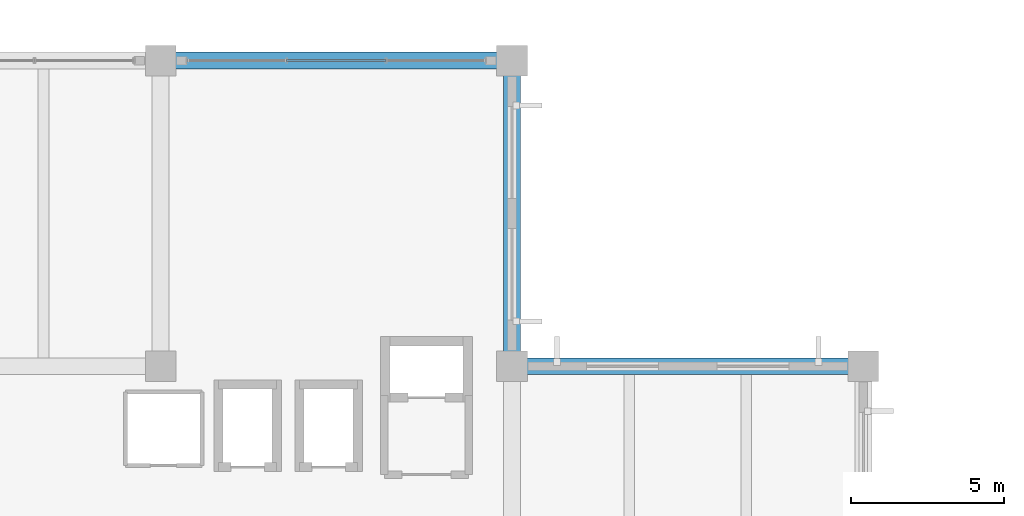
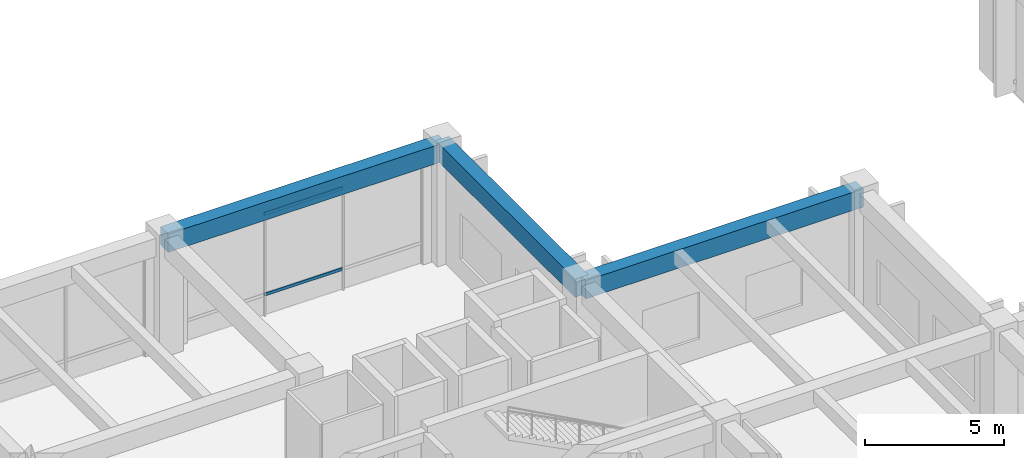
# One storey, part 111 of 148: 3 beams, 2 members, 1 element without a shape of its own.
"""IFC4 building model written with IfcOpenShell, lengths in metres."""

from ifc_helpers import new_model, si_unit, direction, frame, origin, origin_2d, place, context, subcontext, project, spatial, rectangle, hollow_rectangle, extrude, material, material_profile, profile_set, type_object, element, aggregate, save


model = new_model("IFC4")

# Units and contexts
model_context = context("Model", 3, precision=1e-05, world=origin(), true_north=direction((0.0, 1.0)))
body_context = subcontext(model_context, "Body", "Model", "MODEL_VIEW")
ifc_project = project(units=[si_unit("LENGTHUNIT", "METRE"), si_unit("AREAUNIT", "SQUARE_METRE"), si_unit("VOLUMEUNIT", "CUBIC_METRE"), si_unit("PLANEANGLEUNIT", "RADIAN"), si_unit("MASSUNIT", "GRAM", prefix="KILO")], contexts=[model_context])

# Site, building, storey
site_placement = place(None, origin())
site = spatial("IfcSite", under=ifc_project, at=site_placement, CompositionType="ELEMENT")
building_placement = place(site_placement, origin())
building = spatial("IfcBuilding", under=site, at=building_placement, Name="Ologun Quay Terminus", CompositionType="ELEMENT")
storey_placement = place(building_placement, frame((0.0, 0.0, 8.39990234375)))
storey = spatial("IfcBuildingStorey", under=building, at=storey_placement, Name="L02", CompositionType="ELEMENT", Elevation=8.39990234375)

# Beams
ifc_material_1 = material(Name="Concrete C40/50", Category="concrete")
ifc_material_profile_1 = material_profile(ifc_material_1, rectangle(XDim=0.550048828125, YDim=0.800048828125, at=origin_2d()), Name="RC 550x800")
ifc_profile_set_1 = profile_set([ifc_material_profile_1], Name="Concrete C40/50")
beam_type = type_object("IfcBeamType", Name="Courtyard Wing Primary Girder 550x800", PredefinedType="BEAM", material=ifc_profile_set_1)
for number, where, z_axis, x_axis, name in (
    (1, (149.5, 104.800048828125, 4.75), (1.0, 0.0, 0.0), (0.0, 1.0, 0.0), "B4 Beam 14/J L02"),
    (2, (138.0, 114.800048828125, 4.75), (1.0, 0.0, 0.0), (0.0, 1.0, 0.0), "B4 Beam 13/K L02"),
):
    element("IfcBeam", number, at=place(storey_placement, frame(where, z_axis=z_axis, x_axis=x_axis)), inside=storey, type_object=beam_type, Name=name, PredefinedType="BEAM", context=body_context, shape_type="SweptSolid", body=[
        extrude(rectangle(XDim=0.550048828125, YDim=0.800048828125, at=origin_2d()), origin(), (0.0, 0.0, 1.0), 11.5),
    ])
beam_placement = place(storey_placement, frame((149.5, 104.800048828125, 4.75), z_axis=(0.0, 1.0, 0.0), x_axis=(-1.0, 0.0, 0.0)))
element("IfcBeam", 3, at=beam_placement, inside=storey, type_object=beam_type, Name="B4 Beam 14/J L02", PredefinedType="BEAM", context=body_context, shape_type="SweptSolid", body=[
    extrude(rectangle(XDim=0.550048828125, YDim=0.800048828125, at=origin_2d()), origin(), (0.0, 0.0, 1.0), 10.0),
])

# Curtain wall, members
ifc_material_2 = material(Name="Aluminium 6063-T6", Category="aluminium")
curtain_wall_type = type_object("IfcCurtainWallType", Name="Waterfront Pavilion Harbour Curtain Wall L02 10500x5000", PredefinedType="USERDEFINED", material=ifc_material_2)
curtain_wall_placement = place(storey_placement, origin())
curtain_wall = element("IfcCurtainWall", 4, at=curtain_wall_placement, inside=storey, type_object=curtain_wall_type, Name="CW-24 Curtain Wall CW-L02-134", ObjectType="UNITISED CURTAIN WALL", PredefinedType="USERDEFINED")
ifc_material_3 = material(Name="Aluminium 6063-T6", Category="aluminium")
ifc_material_profile_2 = material_profile(ifc_material_3, hollow_rectangle(XDim=0.06005859375, YDim=0.1298828125, WallThickness=0.00390625, at=origin_2d()), Name="ALU 130x60x4")
ifc_profile_set_2 = profile_set([ifc_material_profile_2], Name="Aluminium 6063-T6")
member_type = type_object("IfcMemberType", Name="Curtain Wall Heavy Transom 130x60", PredefinedType="USERDEFINED", material=ifc_profile_set_2)
member_1_placement = place(storey_placement, frame((142.123291015625, 114.800048828125, 0.900146484375), z_axis=(1.0, 0.0, 0.0), x_axis=(0.0, 1.0, 0.0)))
member_1 = element("IfcMember", 5, at=member_1_placement, type_object=member_type, Name="CW-L02-134 Transom B2-1", ObjectType="TRANSOM", PredefinedType="USERDEFINED", context=body_context, shape_type="SweptSolid", body=[
    extrude(hollow_rectangle(XDim=0.06005859375, YDim=0.1298828125, WallThickness=0.00390625, at=origin_2d()), origin(), (0.0, 0.0, 1.0), 3.25341796875),
])
member_2_placement = place(storey_placement, frame((142.123291015625, 114.800048828125, 4.43017578125), z_axis=(1.0, 0.0, 0.0), x_axis=(0.0, 1.0, 0.0)))
member_2 = element("IfcMember", 6, at=member_2_placement, type_object=member_type, Name="CW-L02-134 Transom B2-2", ObjectType="TRANSOM", PredefinedType="USERDEFINED", context=body_context, shape_type="SweptSolid", body=[
    extrude(hollow_rectangle(XDim=0.06005859375, YDim=0.1298828125, WallThickness=0.00390625, at=origin_2d()), origin(), (0.0, 0.0, 1.0), 3.25341796875),
])
aggregate(curtain_wall, [member_1, member_2])

save(model, "model.ifc")
